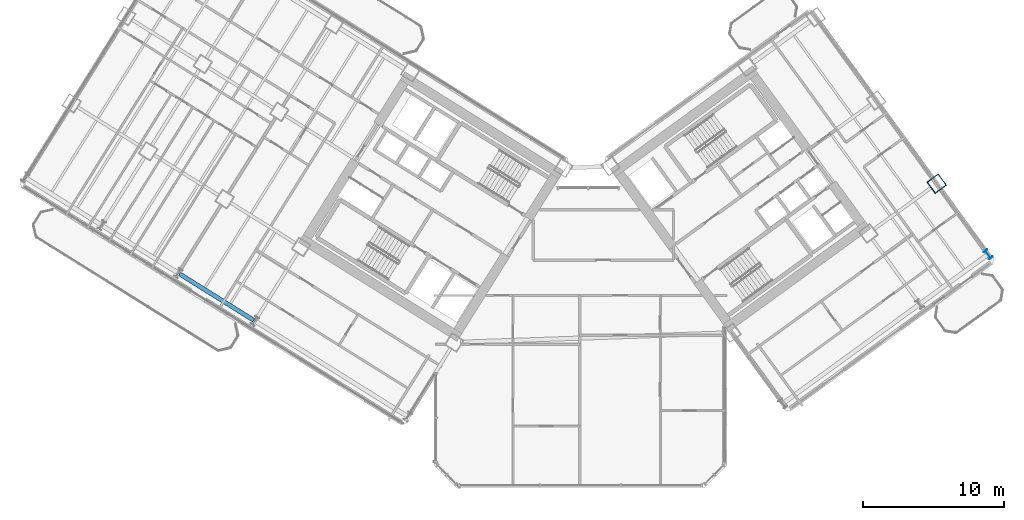
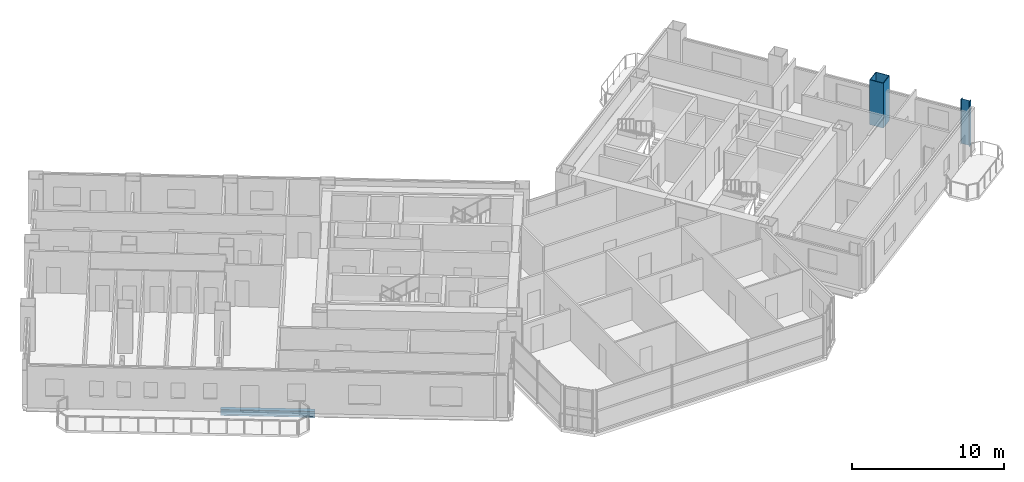
# One storey, part 4 of 28: 2 columns, 1 beam.
"""IFC4 building model written with IfcOpenShell, lengths in metres."""

from ifc_helpers import new_model, si_unit, direction, frame, origin, origin_2d, place, context, subcontext, project, spatial, hollow_rectangle, i_section, extrude, source, transform, mapped, material, material_profile, profile_set, type_object, element, save


model = new_model("IFC4")

# Units and contexts
model_context = context("Model", 3, precision=1e-05, world=origin(), true_north=direction((0.0, 1.0)))
body_context = subcontext(model_context, "Body", "Model", "MODEL_VIEW")
ifc_project = project(units=[si_unit("LENGTHUNIT", "METRE"), si_unit("AREAUNIT", "SQUARE_METRE"), si_unit("VOLUMEUNIT", "CUBIC_METRE"), si_unit("PLANEANGLEUNIT", "RADIAN"), si_unit("MASSUNIT", "GRAM", prefix="KILO")], contexts=[model_context])

# Site, building, storey
site_placement = place(None, origin())
site = spatial("IfcSite", under=ifc_project, at=site_placement, CompositionType="ELEMENT")
building_placement = place(site_placement, origin())
building = spatial("IfcBuilding", under=site, at=building_placement, Name="Tlacorven Tower", CompositionType="ELEMENT")
storey_placement = place(building_placement, frame((0.0, 0.0, 27.60009765625)))
storey = spatial("IfcBuildingStorey", under=building, at=storey_placement, Name="L06", CompositionType="ELEMENT", Elevation=27.60009765625)

# Columns
ifc_material_1 = material(Name="Steel S460M", Category="steel")
ifc_material_profile_1 = material_profile(ifc_material_1, hollow_rectangle(XDim=1.0, YDim=1.0, WallThickness=0.0400390625, at=origin_2d()), Name="BOX 1000X1000X40")
ifc_profile_set_1 = profile_set([ifc_material_profile_1], Name="Steel S460M")
column_type_1 = type_object("IfcColumnType", Name="COL-TWR-S1", PredefinedType="COLUMN", material=ifc_profile_set_1)
shared_shape_1 = source(origin(), body_context, "Body", "SweptSolid", [
    extrude(hollow_rectangle(XDim=1.0, YDim=1.0, WallThickness=0.0400390625, at=origin_2d()), origin(), (0.0, 0.0, 1.0), 3.599853515625),
])
column_1_placement = place(storey_placement, frame((67.267822265625, 23.353515625, 0.0), z_axis=(0.0, 0.0, 1.0), x_axis=(0.809016994375, 0.587785252292, 0.0)))
element("IfcColumn", 1, at=column_1_placement, inside=storey, type_object=column_type_1, Name="L06 column COL-L06-E4-2", PredefinedType="COLUMN", context=body_context, shape_type="MappedRepresentation", body=[
    mapped(shared_shape_1, transform((0.0, 0.0, 0.0), scale=1.0)),
])
ifc_material_profile_2 = material_profile(ifc_material_1, i_section(OverallWidth=0.300048828125, OverallDepth=0.64990234375, WebThickness=0.01611328125, FlangeThickness=0.031005859375, at=origin_2d()), Name="HEB 650")
ifc_profile_set_2 = profile_set([ifc_material_profile_2], Name="Steel S460M")
column_type_2 = type_object("IfcColumnType", Name="COL-TWR-P1", PredefinedType="COLUMN", material=ifc_profile_set_2)
shared_shape_2 = source(origin(), body_context, "Body", "SweptSolid", [
    extrude(i_section(OverallWidth=0.300048828125, OverallDepth=0.64990234375, WebThickness=0.01611328125, FlangeThickness=0.031005859375, at=origin_2d()), origin(), (0.0, 0.0, 1.0), 3.599853515625),
])
column_2_placement = place(storey_placement, frame((70.911865234375, 18.337646484375, 0.0), z_axis=(0.0, 0.0, 1.0), x_axis=(0.809016994375, 0.587785252292, 0.0)))
element("IfcColumn", 2, at=column_2_placement, inside=storey, type_object=column_type_2, Name="L06 column COL-L06-E4-1", PredefinedType="COLUMN", context=body_context, shape_type="MappedRepresentation", body=[
    mapped(shared_shape_2, transform((0.0, 0.0, 0.0), scale=1.0)),
])

# Beam
ifc_material_2 = material(Name="Steel S355J2", Category="steel")
ifc_material_profile_3 = material_profile(ifc_material_2, i_section(OverallWidth=0.300048828125, OverallDepth=0.489990234375, WebThickness=0.011962890625, FlangeThickness=0.02294921875, at=origin_2d()), Name="HEA 500")
ifc_profile_set_3 = profile_set([ifc_material_profile_3], Name="Steel S355J2")
beam_type = type_object("IfcBeamType", Name="BM-SPN-500", PredefinedType="SPANDREL", material=ifc_profile_set_3)
shared_shape_3 = source(origin(), body_context, "Body", "SweptSolid", [
    extrude(i_section(OverallWidth=0.300048828125, OverallDepth=0.489990234375, WebThickness=0.011962890625, FlangeThickness=0.02294921875, at=origin_2d()), origin(), (0.0, 0.0, 1.0), 6.199951171875),
])
beam_placement = place(storey_placement, frame((18.82080078125, 13.6650390625, -0.4951171875), z_axis=(-0.848051394107, 0.529913986372, 0.0), x_axis=(-0.529913986372, -0.848051394107, 0.0)))
element("IfcBeam", 3, at=beam_placement, inside=storey, type_object=beam_type, Name="L06 beam BM-L06-WL4-3", PredefinedType="SPANDREL", context=body_context, shape_type="MappedRepresentation", body=[
    mapped(shared_shape_3, transform((0.0, 0.0, 0.0), scale=1.0)),
])

save(model, "model.ifc")
